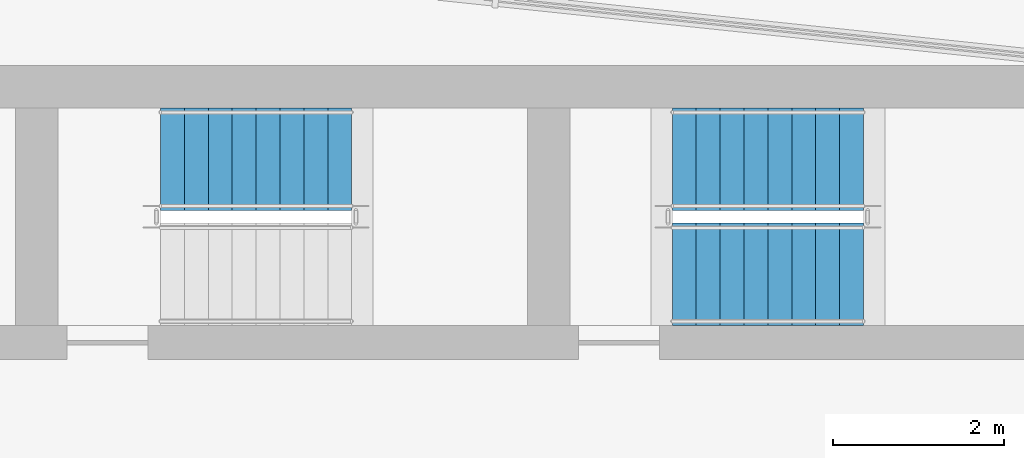
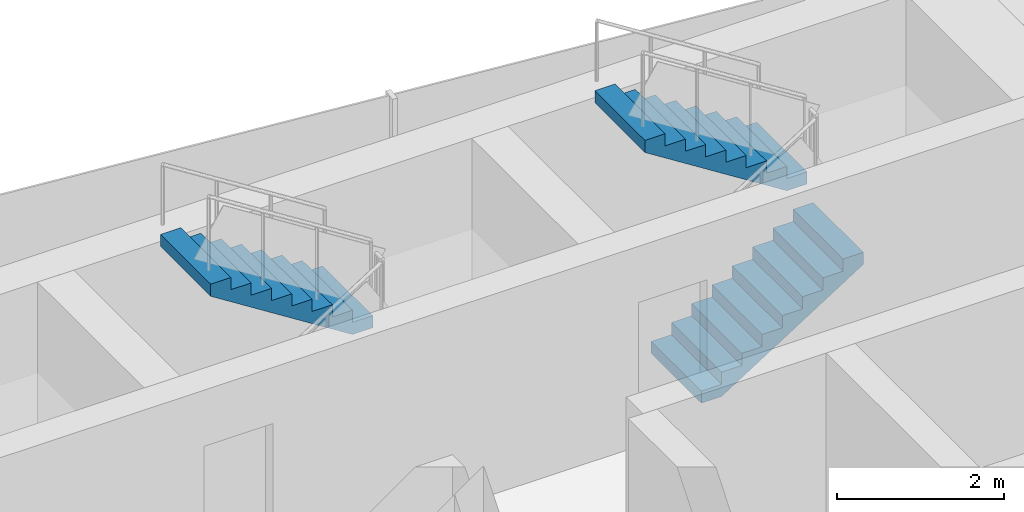
# One storey, part 13 of 17: 3 stair flights, 2 elements without a shape of their own.
"""IFC4 building model written with IfcOpenShell, lengths in metres."""

from ifc_helpers import new_model, si_unit, direction, frame, origin, place, context, subcontext, project, spatial, polyline, outline, extrude, material, type_object, element, aggregate, save


model = new_model("IFC4")

# Units and contexts
model_context = context("Model", 3, precision=1e-05, world=origin(), true_north=direction((0.0, 1.0)))
body_context = subcontext(model_context, "Body", "Model", "MODEL_VIEW")
ifc_project = project(units=[si_unit("LENGTHUNIT", "METRE"), si_unit("AREAUNIT", "SQUARE_METRE"), si_unit("VOLUMEUNIT", "CUBIC_METRE"), si_unit("PLANEANGLEUNIT", "RADIAN"), si_unit("MASSUNIT", "GRAM", prefix="KILO")], contexts=[model_context])

# Site, building, storey
site_placement = place(None, origin())
site = spatial("IfcSite", under=ifc_project, at=site_placement, CompositionType="ELEMENT")
building_placement = place(site_placement, origin())
building = spatial("IfcBuilding", under=site, at=building_placement, Name="Vidyagriha Tower", CompositionType="ELEMENT")
storey_placement = place(building_placement, frame((0.0, 0.0, 262.699951171875)))
storey = spatial("IfcBuildingStorey", under=building, at=storey_placement, Name="L68", CompositionType="ELEMENT", Elevation=262.699951171875)

# Stair, stair flight
ifc_material_1 = material(Name="Concrete C40/50", Category="concrete")
stair_type = type_object("IfcStairType", Name="Exit stair, half-turn, precast flights", PredefinedType="HALF_TURN_STAIR", material=ifc_material_1)
stair_1_placement = place(storey_placement, origin())
stair_1 = element("IfcStair", 1, at=stair_1_placement, inside=storey, type_object=stair_type, Name="L68 Exit Stair ST2", PredefinedType="HALF_TURN_STAIR")
ifc_material_2 = material(Name="Precast concrete C40/50", Category="concrete")
stair_flight_type = type_object("IfcStairFlightType", Name="Exit stair flight 1200 mm, precast", PredefinedType="STRAIGHT", material=ifc_material_2)
stair_flight_1_placement = place(storey_placement, frame((0.239990234375, 18.89990234375, 1.60009765625), z_axis=(0.0, 0.0, 1.0), x_axis=(-1.0, 0.0, 0.0)))
stair_flight_1 = element("IfcStairFlight", 2, at=stair_flight_1_placement, type_object=stair_flight_type, Name="ST2 flight 2", NumberOfRisers=9, NumberOfTreads=8, PredefinedType="STRAIGHT", RiserHeight=0.177777778, TreadLength=0.28, context=body_context, shape_type="SweptSolid", body=[
    extrude(outline(polyline([(0.0, 0.0), (0.0, 0.177734375), (0.280029296875, 0.177734375), (0.280029296875, 0.35546875), (0.56005859375, 0.35546875), (0.56005859375, 0.533447265625), (0.840087890625, 0.533447265625), (0.840087890625, 0.711181640625), (1.1201171875, 0.711181640625), (1.1201171875, 0.888916015625), (1.39990234375, 0.888916015625), (1.39990234375, 1.066650390625), (1.679931640625, 1.066650390625), (1.679931640625, 1.244384765625), (1.9599609375, 1.244384765625), (1.9599609375, 1.422119140625), (2.239990234375, 1.422119140625), (2.239990234375, 1.60009765625), (2.239990234375, 1.24462890625), (0.27978515625, 0.0), (0.0, 0.0)])), frame((0.0, 0.60009765625, 0.0), z_axis=(0.0, -1.0, 0.0), x_axis=(1.0, 0.0, 0.0)), (0.0, 0.0, 1.0), 1.199951171875),
])
aggregate(stair_1, [stair_flight_1])

# Stair, stair flights
stair_2_placement = place(storey_placement, origin())
stair_2 = element("IfcStair", 3, at=stair_2_placement, inside=storey, type_object=stair_type, Name="L68 Exit Stair ST3", PredefinedType="HALF_TURN_STAIR")
stair_flight_2_placement = place(storey_placement, frame((4.0, 17.550048828125, 0.0)))
stair_flight_2 = element("IfcStairFlight", 4, at=stair_flight_2_placement, type_object=stair_flight_type, Name="ST3 flight 1", NumberOfRisers=9, NumberOfTreads=8, PredefinedType="STRAIGHT", RiserHeight=0.177777778, TreadLength=0.28, context=body_context, shape_type="SweptSolid", body=[
    extrude(outline(polyline([(0.0, 0.0), (0.0, 0.177734375), (0.280029296875, 0.177734375), (0.280029296875, 0.35546875), (0.56005859375, 0.35546875), (0.56005859375, 0.533447265625), (0.840087890625, 0.533447265625), (0.840087890625, 0.711181640625), (1.1201171875, 0.711181640625), (1.1201171875, 0.888916015625), (1.39990234375, 0.888916015625), (1.39990234375, 1.066650390625), (1.679931640625, 1.066650390625), (1.679931640625, 1.244384765625), (1.9599609375, 1.244384765625), (1.9599609375, 1.422119140625), (2.239990234375, 1.422119140625), (2.239990234375, 1.60009765625), (2.239990234375, 1.24462890625), (0.27978515625, 0.0), (0.0, 0.0)])), frame((0.0, 0.60009765625, 0.0), z_axis=(0.0, -1.0, 0.0), x_axis=(1.0, 0.0, 0.0)), (0.0, 0.0, 1.0), 1.199951171875),
])
stair_flight_3_placement = place(storey_placement, frame((6.239990234375, 18.89990234375, 1.60009765625), z_axis=(0.0, 0.0, 1.0), x_axis=(-1.0, 0.0, 0.0)))
stair_flight_3 = element("IfcStairFlight", 5, at=stair_flight_3_placement, type_object=stair_flight_type, Name="ST3 flight 2", NumberOfRisers=9, NumberOfTreads=8, PredefinedType="STRAIGHT", RiserHeight=0.177777778, TreadLength=0.28, context=body_context, shape_type="SweptSolid", body=[
    extrude(outline(polyline([(0.0, 0.0), (0.0, 0.177734375), (0.280029296875, 0.177734375), (0.280029296875, 0.35546875), (0.56005859375, 0.35546875), (0.56005859375, 0.533447265625), (0.840087890625, 0.533447265625), (0.840087890625, 0.711181640625), (1.1201171875, 0.711181640625), (1.1201171875, 0.888916015625), (1.39990234375, 0.888916015625), (1.39990234375, 1.066650390625), (1.679931640625, 1.066650390625), (1.679931640625, 1.244384765625), (1.9599609375, 1.244384765625), (1.9599609375, 1.422119140625), (2.239990234375, 1.422119140625), (2.239990234375, 1.60009765625), (2.239990234375, 1.24462890625), (0.27978515625, 0.0), (0.0, 0.0)])), frame((0.0, 0.60009765625, 0.0), z_axis=(0.0, -1.0, 0.0), x_axis=(1.0, 0.0, 0.0)), (0.0, 0.0, 1.0), 1.199951171875),
])
aggregate(stair_2, [stair_flight_2, stair_flight_3])

save(model, "model.ifc")
